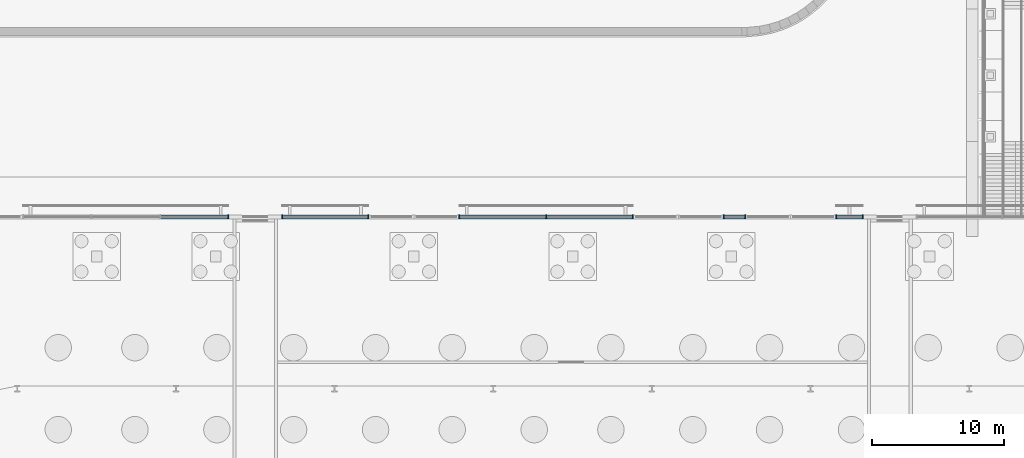
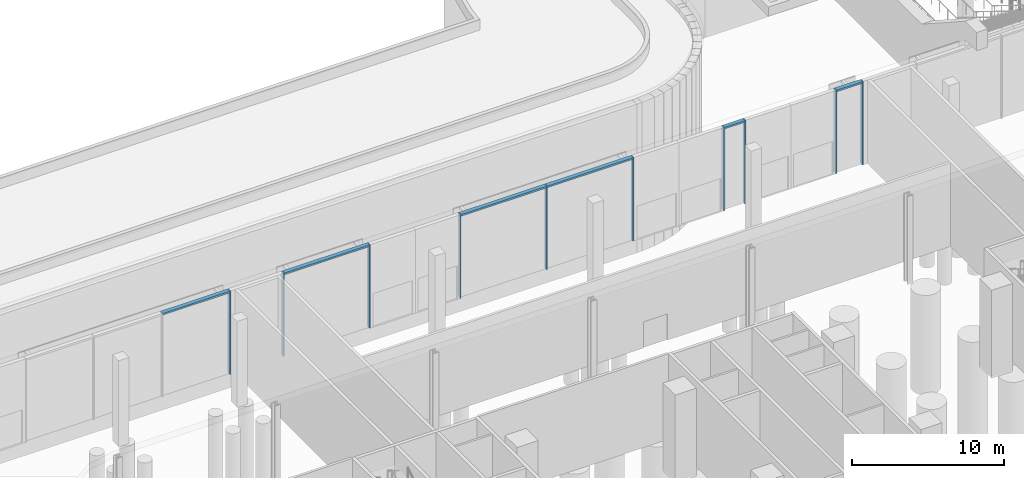
# One storey, part 10 of 48: 16 members, 5 elements without a shape of their own.
"""IFC4 building model written with IfcOpenShell, lengths in metres."""

from ifc_helpers import new_model, si_unit, direction, frame, origin, origin_2d, place, context, subcontext, project, spatial, rectangle, extrude, material, material_profile, profile_set, type_object, element, aggregate, save


model = new_model("IFC4")

# Units and contexts
model_context = context("Model", 3, precision=1e-05, world=origin(), true_north=direction((0.0, 1.0)))
body_context = subcontext(model_context, "Body", "Model", "MODEL_VIEW")
ifc_project = project(units=[si_unit("LENGTHUNIT", "METRE"), si_unit("AREAUNIT", "SQUARE_METRE"), si_unit("VOLUMEUNIT", "CUBIC_METRE"), si_unit("PLANEANGLEUNIT", "RADIAN"), si_unit("MASSUNIT", "GRAM", prefix="KILO")], contexts=[model_context])

# Site, building, storey
site_placement = place(None, origin())
site = spatial("IfcSite", under=ifc_project, at=site_placement, CompositionType="ELEMENT")
building_placement = place(site_placement, origin())
building = spatial("IfcBuilding", under=site, at=building_placement, Name="Mahtab Terrace Research Tower", CompositionType="ELEMENT")
storey_placement = place(building_placement, origin())
storey = spatial("IfcBuildingStorey", under=building, at=storey_placement, Name="G", CompositionType="ELEMENT", Elevation=0.0)

# Curtain wall, members
ifc_material_1 = material(Name="Ground lobby curtain wall")
curtain_wall_type = type_object("IfcCurtainWallType", Name="Ground lobby curtain wall", PredefinedType="NOTDEFINED", material=ifc_material_1)
curtain_wall_1_placement = place(storey_placement, origin())
curtain_wall_1 = element("IfcCurtainWall", 1, at=curtain_wall_1_placement, inside=storey, type_object=curtain_wall_type, Name="EN.G.5.2", PredefinedType="NOTDEFINED")
ifc_material_2 = material(Name="Natural anodised aluminium", Category="aluminium")
ifc_material_profile_1 = material_profile(ifc_material_2, rectangle(XDim=0.300048828125, YDim=0.080078125, at=origin_2d()), Name="MULLION 80x300")
ifc_profile_set_1 = profile_set([ifc_material_profile_1], Name="Natural anodised aluminium")
member_type_1 = type_object("IfcMemberType", Name="Ground lobby curtain wall mullion", PredefinedType="MULLION", material=ifc_profile_set_1)
member_1_placement = place(storey_placement, frame((21.9599609375, 36.0, 0.0), z_axis=(0.0, 0.0, 1.0), x_axis=(0.0, -1.0, 0.0)))
member_1 = element("IfcMember", 2, at=member_1_placement, type_object=member_type_1, Name="CWG-1 mullion 1", PredefinedType="MULLION", context=body_context, shape_type="SweptSolid", body=[
    extrude(rectangle(XDim=0.300048828125, YDim=0.080078125, at=origin_2d()), origin(), (0.0, 0.0, 1.0), 6.699951171875),
])
member_2_placement = place(storey_placement, frame((19.93994140625, 36.0, 0.0), z_axis=(0.0, 0.0, 1.0), x_axis=(0.0, -1.0, 0.0)))
member_2 = element("IfcMember", 3, at=member_2_placement, type_object=member_type_1, Name="CWG-1 mullion 2", PredefinedType="MULLION", context=body_context, shape_type="SweptSolid", body=[
    extrude(rectangle(XDim=0.300048828125, YDim=0.080078125, at=origin_2d()), origin(), (0.0, 0.0, 1.0), 6.699951171875),
])

curtain_wall_2_placement = place(storey_placement, origin())
curtain_wall_2 = element("IfcCurtainWall", 4, at=curtain_wall_2_placement, inside=storey, type_object=curtain_wall_type, Name="EN.G.5.5", PredefinedType="NOTDEFINED")
member_3_placement = place(storey_placement, frame((13.06005859375, 36.0, 0.0), z_axis=(0.0, 0.0, 1.0), x_axis=(0.0, -1.0, 0.0)))
member_3 = element("IfcMember", 5, at=member_3_placement, type_object=member_type_1, Name="CWG-1 mullion 1", PredefinedType="MULLION", context=body_context, shape_type="SweptSolid", body=[
    extrude(rectangle(XDim=0.300048828125, YDim=0.080078125, at=origin_2d()), origin(), (0.0, 0.0, 1.0), 6.699951171875),
])
member_4_placement = place(storey_placement, frame((11.43994140625, 36.0, 0.0), z_axis=(0.0, 0.0, 1.0), x_axis=(0.0, -1.0, 0.0)))
member_4 = element("IfcMember", 6, at=member_4_placement, type_object=member_type_1, Name="CWG-1 mullion 2", PredefinedType="MULLION", context=body_context, shape_type="SweptSolid", body=[
    extrude(rectangle(XDim=0.300048828125, YDim=0.080078125, at=origin_2d()), origin(), (0.0, 0.0, 1.0), 6.699951171875),
])

curtain_wall_3_placement = place(storey_placement, origin())
curtain_wall_3 = element("IfcCurtainWall", 7, at=curtain_wall_3_placement, inside=storey, type_object=curtain_wall_type, Name="EN.G.5.8", PredefinedType="NOTDEFINED")
member_5_placement = place(storey_placement, frame((4.56005859375, 36.0, 0.0), z_axis=(0.0, 0.0, 1.0), x_axis=(0.0, -1.0, 0.0)))
member_5 = element("IfcMember", 8, at=member_5_placement, type_object=member_type_1, Name="CWG-1 mullion 1", PredefinedType="MULLION", context=body_context, shape_type="SweptSolid", body=[
    extrude(rectangle(XDim=0.300048828125, YDim=0.080078125, at=origin_2d()), origin(), (0.0, 0.0, 1.0), 6.699951171875),
])
member_6_placement = place(storey_placement, frame((-2.0, 36.0, 0.0), z_axis=(0.0, 0.0, 1.0), x_axis=(0.0, -1.0, 0.0)))
member_6 = element("IfcMember", 9, at=member_6_placement, type_object=member_type_1, Name="CWG-1 mullion 2", PredefinedType="MULLION", context=body_context, shape_type="SweptSolid", body=[
    extrude(rectangle(XDim=0.300048828125, YDim=0.080078125, at=origin_2d()), origin(), (0.0, 0.0, 1.0), 6.699951171875),
])
member_7_placement = place(storey_placement, frame((-8.56005859375, 36.0, 0.0), z_axis=(0.0, 0.0, 1.0), x_axis=(0.0, -1.0, 0.0)))
member_7 = element("IfcMember", 10, at=member_7_placement, type_object=member_type_1, Name="CWG-1 mullion 3", PredefinedType="MULLION", context=body_context, shape_type="SweptSolid", body=[
    extrude(rectangle(XDim=0.300048828125, YDim=0.080078125, at=origin_2d()), origin(), (0.0, 0.0, 1.0), 6.699951171875),
])

curtain_wall_4_placement = place(storey_placement, origin())
curtain_wall_4 = element("IfcCurtainWall", 11, at=curtain_wall_4_placement, inside=storey, type_object=curtain_wall_type, Name="EN.G.5.11", PredefinedType="NOTDEFINED")
member_8_placement = place(storey_placement, frame((-15.43994140625, 36.0, 0.0), z_axis=(0.0, 0.0, 1.0), x_axis=(0.0, -1.0, 0.0)))
member_8 = element("IfcMember", 12, at=member_8_placement, type_object=member_type_1, Name="CWG-1 mullion 1", PredefinedType="MULLION", context=body_context, shape_type="SweptSolid", body=[
    extrude(rectangle(XDim=0.300048828125, YDim=0.080078125, at=origin_2d()), origin(), (0.0, 0.0, 1.0), 6.699951171875),
])
member_9_placement = place(storey_placement, frame((-21.9599609375, 36.0, 0.0), z_axis=(0.0, 0.0, 1.0), x_axis=(0.0, -1.0, 0.0)))
member_9 = element("IfcMember", 13, at=member_9_placement, type_object=member_type_1, Name="CWG-1 mullion 2", PredefinedType="MULLION", context=body_context, shape_type="SweptSolid", body=[
    extrude(rectangle(XDim=0.300048828125, YDim=0.080078125, at=origin_2d()), origin(), (0.0, 0.0, 1.0), 6.699951171875),
])

# Curtain wall, member
curtain_wall_5_placement = place(storey_placement, origin())
curtain_wall_5 = element("IfcCurtainWall", 14, at=curtain_wall_5_placement, inside=storey, type_object=curtain_wall_type, Name="EN.G.5.13", PredefinedType="NOTDEFINED")
member_10_placement = place(storey_placement, frame((-26.0400390625, 36.0, 0.0), z_axis=(0.0, 0.0, 1.0), x_axis=(0.0, -1.0, 0.0)))
member_10 = element("IfcMember", 15, at=member_10_placement, type_object=member_type_1, Name="CWG-1 mullion 1", PredefinedType="MULLION", context=body_context, shape_type="SweptSolid", body=[
    extrude(rectangle(XDim=0.300048828125, YDim=0.080078125, at=origin_2d()), origin(), (0.0, 0.0, 1.0), 6.699951171875),
])

# Member
ifc_material_profile_2 = material_profile(ifc_material_2, rectangle(XDim=0.300048828125, YDim=0.139892578125, at=origin_2d()), Name="TRANSOM 140x300")
ifc_profile_set_2 = profile_set([ifc_material_profile_2], Name="Natural anodised aluminium")
member_type_2 = type_object("IfcMemberType", Name="Ground lobby curtain wall transom", PredefinedType="USERDEFINED", material=ifc_profile_set_2)
member_11_placement = place(storey_placement, frame((21.919921875, 36.0, 6.6298828125), z_axis=(-1.0, 0.0, 0.0), x_axis=(0.0, -1.0, 0.0)))
member_11 = element("IfcMember", 16, at=member_11_placement, type_object=member_type_2, Name="CWG-1 transom 1", ObjectType="TRANSOM", PredefinedType="USERDEFINED", context=body_context, shape_type="SweptSolid", body=[
    extrude(rectangle(XDim=0.300048828125, YDim=0.139892578125, at=origin_2d()), origin(), (0.0, 0.0, 1.0), 1.93994140625),
])

aggregate(curtain_wall_1, [member_1, member_2, member_11])

member_12_placement = place(storey_placement, frame((13.02001953125, 36.0, 6.6298828125), z_axis=(-1.0, 0.0, 0.0), x_axis=(0.0, -1.0, 0.0)))
member_12 = element("IfcMember", 17, at=member_12_placement, type_object=member_type_2, Name="CWG-1 transom 1", ObjectType="TRANSOM", PredefinedType="USERDEFINED", context=body_context, shape_type="SweptSolid", body=[
    extrude(rectangle(XDim=0.300048828125, YDim=0.139892578125, at=origin_2d()), origin(), (0.0, 0.0, 1.0), 1.5400390625),
])

aggregate(curtain_wall_2, [member_3, member_4, member_12])

member_13_placement = place(storey_placement, frame((4.52001953125, 36.0, 6.6298828125), z_axis=(-1.0, 0.0, 0.0), x_axis=(0.0, -1.0, 0.0)))
member_13 = element("IfcMember", 18, at=member_13_placement, type_object=member_type_2, Name="CWG-1 transom 1", ObjectType="TRANSOM", PredefinedType="USERDEFINED", context=body_context, shape_type="SweptSolid", body=[
    extrude(rectangle(XDim=0.300048828125, YDim=0.139892578125, at=origin_2d()), origin(), (0.0, 0.0, 1.0), 6.47998046875),
])

member_14_placement = place(storey_placement, frame((-2.0400390625, 36.0, 6.6298828125), z_axis=(-1.0, 0.0, 0.0), x_axis=(0.0, -1.0, 0.0)))
member_14 = element("IfcMember", 19, at=member_14_placement, type_object=member_type_2, Name="CWG-1 transom 2", ObjectType="TRANSOM", PredefinedType="USERDEFINED", context=body_context, shape_type="SweptSolid", body=[
    extrude(rectangle(XDim=0.300048828125, YDim=0.139892578125, at=origin_2d()), origin(), (0.0, 0.0, 1.0), 6.47998046875),
])

aggregate(curtain_wall_3, [member_5, member_6, member_7, member_13, member_14])

member_15_placement = place(storey_placement, frame((-15.47998046875, 36.0, 6.6298828125), z_axis=(-1.0, 0.0, 0.0), x_axis=(0.0, -1.0, 0.0)))
member_15 = element("IfcMember", 20, at=member_15_placement, type_object=member_type_2, Name="CWG-1 transom 1", ObjectType="TRANSOM", PredefinedType="USERDEFINED", context=body_context, shape_type="SweptSolid", body=[
    extrude(rectangle(XDim=0.300048828125, YDim=0.139892578125, at=origin_2d()), origin(), (0.0, 0.0, 1.0), 6.43994140625),
])

aggregate(curtain_wall_4, [member_8, member_9, member_15])

member_16_placement = place(storey_placement, frame((-26.080078125, 36.0, 6.6298828125), z_axis=(-1.0, 0.0, 0.0), x_axis=(0.0, -1.0, 0.0)))
member_16 = element("IfcMember", 21, at=member_16_placement, type_object=member_type_2, Name="CWG-1 transom 1", ObjectType="TRANSOM", PredefinedType="USERDEFINED", context=body_context, shape_type="SweptSolid", body=[
    extrude(rectangle(XDim=0.300048828125, YDim=0.139892578125, at=origin_2d()), origin(), (0.0, 0.0, 1.0), 5.079833984375),
])

aggregate(curtain_wall_5, [member_10, member_16])

save(model, "model.ifc")
